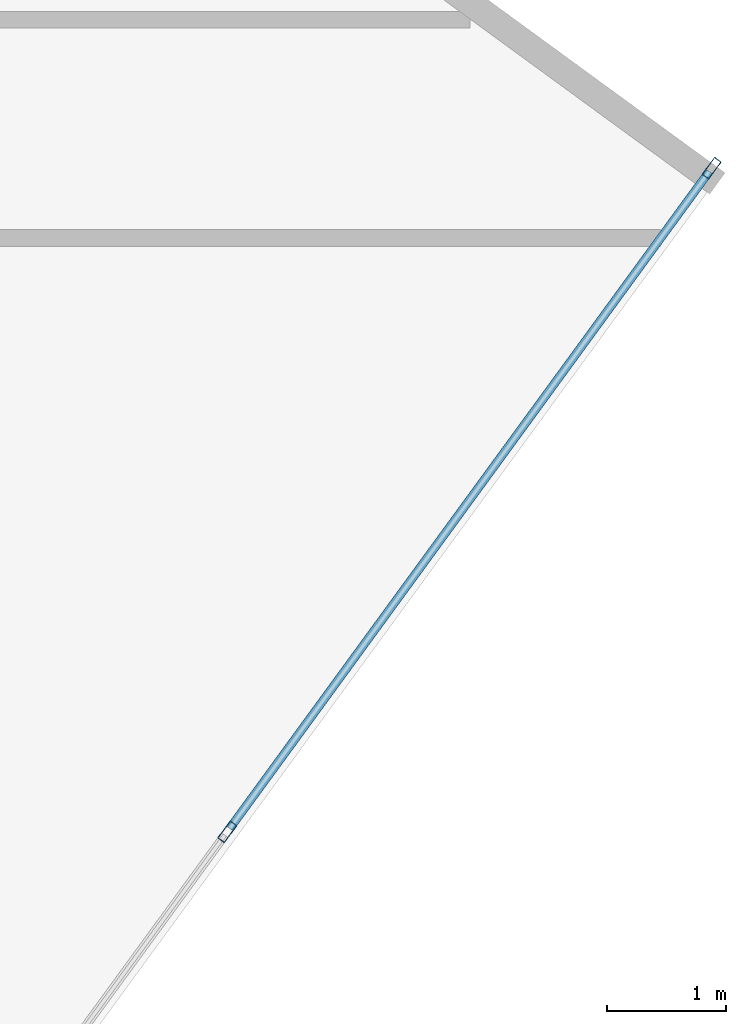
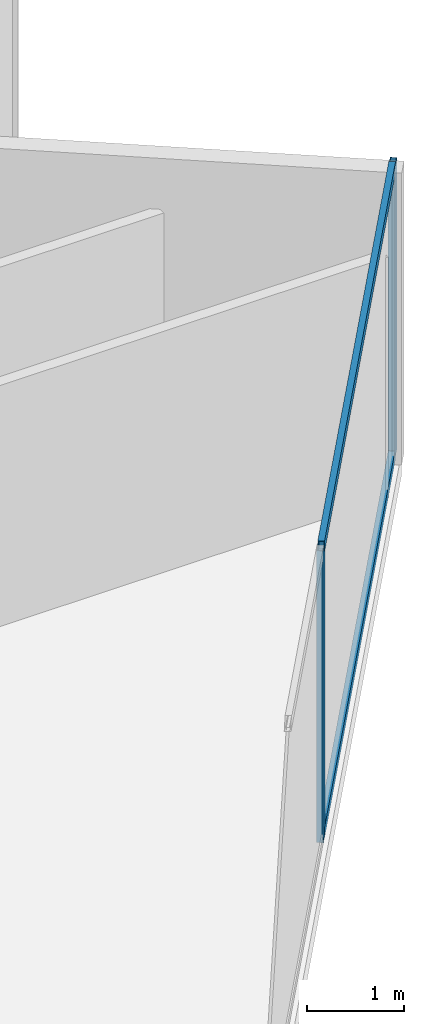
# One storey, part 11 of 25: 4 members, 1 element without a shape of its own.
"""IFC4 building model written with IfcOpenShell, lengths in metres."""

from ifc_helpers import new_model, si_unit, direction, frame, origin, origin_2d, place, context, subcontext, project, spatial, hollow_rectangle, extrude, source, transform, mapped, material, material_profile, profile_set, type_object, type_shapes, element, aggregate, save


model = new_model("IFC4")

# Units and contexts
model_context = context("Model", 3, precision=1e-05, world=origin(), true_north=direction((0.0, 1.0)))
body_context = subcontext(model_context, "Body", "Model", "MODEL_VIEW")
ifc_project = project(units=[si_unit("LENGTHUNIT", "METRE"), si_unit("AREAUNIT", "SQUARE_METRE"), si_unit("VOLUMEUNIT", "CUBIC_METRE"), si_unit("PLANEANGLEUNIT", "RADIAN"), si_unit("MASSUNIT", "GRAM", prefix="KILO")], contexts=[model_context])

# Site, building, storey
site_placement = place(None, origin())
site = spatial("IfcSite", under=ifc_project, at=site_placement, CompositionType="ELEMENT")
building_placement = place(site_placement, origin())
building = spatial("IfcBuilding", under=site, at=building_placement, Name="Krantzveldt Concourse Tower", CompositionType="ELEMENT")
storey_placement = place(building_placement, frame((0.0, 0.0, 193.60009765625)))
storey = spatial("IfcBuildingStorey", under=building, at=storey_placement, Name="L47", CompositionType="ELEMENT", Elevation=193.60009765625)

# Curtain wall, members
ifc_material = material(Name="Anodised aluminium 6063-T6", Category="aluminium")
curtain_wall_type = type_object("IfcCurtainWallType", Name="CW3", PredefinedType="USERDEFINED", material=ifc_material)
curtain_wall_placement = place(storey_placement, origin())
curtain_wall = element("IfcCurtainWall", 1, at=curtain_wall_placement, inside=storey, type_object=curtain_wall_type, Name="CW-L47-F07", ObjectType="UNITISED CURTAIN WALL", PredefinedType="USERDEFINED")
ifc_material_profile_1 = material_profile(ifc_material, hollow_rectangle(XDim=0.070068359375, YDim=0.179931640625, WallThickness=0.0048828125, at=origin_2d()), Name="Anodised aluminium 6063-T6", Category="aluminium")
ifc_profile_set_1 = profile_set([ifc_material_profile_1], Name="Anodised aluminium 6063-T6 - ALU-MULL 180x70x5")
member_type_1 = type_object("IfcMemberType", Name="CW-MUL-180", PredefinedType="MULLION", material=ifc_profile_set_1)
shared_shape_1 = source(origin(), body_context, "Body", "SweptSolid", [
    extrude(hollow_rectangle(XDim=0.070068359375, YDim=0.179931640625, WallThickness=0.0048828125, at=origin_2d()), origin(), (0.0, 0.0, 1.0), 3.669921875),
])
type_shapes(member_type_1, [shared_shape_1])
member_1_placement = place(storey_placement, frame((59.771484375, 22.274658203125, 0.0), z_axis=(0.0, 0.0, 1.0), x_axis=(-0.807732735781, 0.589548833895, 0.0)))
member_1 = element("IfcMember", 2, at=member_1_placement, type_object=member_type_1, Name="CW-Z34 mullion 5", PredefinedType="MULLION", context=body_context, shape_type="MappedRepresentation", body=[
    mapped(shared_shape_1, transform((0.0, 0.0, 0.0), x_axis=(1.0, 0.0, 0.0), y_axis=(0.0, 1.0, 0.0), z_axis=(0.0, 0.0, 1.0), scale=1.0)),
])
member_2_placement = place(storey_placement, frame((63.854248046875, 27.8681640625, 0.0), z_axis=(0.0, 0.0, 1.0), x_axis=(-0.807732735781, 0.589548833895, 0.0)))
member_2 = element("IfcMember", 3, at=member_2_placement, type_object=member_type_1, Name="CW-Z34 mullion 6", PredefinedType="MULLION", context=body_context, shape_type="MappedRepresentation", body=[
    mapped(shared_shape_1, transform((0.0, 0.0, 0.0), x_axis=(1.0, 0.0, 0.0), y_axis=(0.0, 1.0, 0.0), z_axis=(0.0, 0.0, 1.0), scale=1.0)),
])
ifc_material_profile_2 = material_profile(ifc_material, hollow_rectangle(XDim=0.070068359375, YDim=0.139892578125, WallThickness=0.0048828125, at=origin_2d()), Name="Anodised aluminium 6063-T6", Category="aluminium")
ifc_profile_set_2 = profile_set([ifc_material_profile_2], Name="Anodised aluminium 6063-T6 - ALU-TRAN 140x70x5")
member_type_2 = type_object("IfcMemberType", Name="CW-TRN-150", PredefinedType="USERDEFINED", material=ifc_profile_set_2)
shared_shape_2 = source(origin(), body_context, "Body", "SweptSolid", [
    extrude(hollow_rectangle(XDim=0.070068359375, YDim=0.139892578125, WallThickness=0.0048828125, at=origin_2d()), origin(), (0.0, 0.0, 1.0), 6.854736328125),
])
type_shapes(member_type_2, [shared_shape_2])
member_3_placement = place(storey_placement, frame((59.792236328125, 22.302978515625, 0.034912109375), z_axis=(0.589549465973, 0.807732274439, 0.0), x_axis=(-0.807732274439, 0.589549465973, 0.0)))
member_3 = element("IfcMember", 4, at=member_3_placement, type_object=member_type_2, Name="CW-Z34 transom 5.1", ObjectType="TRANSOM", PredefinedType="USERDEFINED", context=body_context, shape_type="MappedRepresentation", body=[
    mapped(shared_shape_2, transform((0.0, 0.0, 0.0), x_axis=(1.0, 0.0, 0.0), y_axis=(0.0, 1.0, 0.0), z_axis=(0.0, 0.0, 1.0), scale=1.0)),
])
member_4_placement = place(storey_placement, frame((59.792236328125, 22.302978515625, 3.635009765625), z_axis=(0.589549465973, 0.807732274439, 0.0), x_axis=(-0.807732274439, 0.589549465973, 0.0)))
member_4 = element("IfcMember", 5, at=member_4_placement, type_object=member_type_2, Name="CW-Z34 transom 5.2", ObjectType="TRANSOM", PredefinedType="USERDEFINED", context=body_context, shape_type="MappedRepresentation", body=[
    mapped(shared_shape_2, transform((0.0, 0.0, 0.0), x_axis=(1.0, 0.0, 0.0), y_axis=(0.0, 1.0, 0.0), z_axis=(0.0, 0.0, 1.0), scale=1.0)),
])
aggregate(curtain_wall, [member_1, member_2, member_3, member_4])

save(model, "model.ifc")
